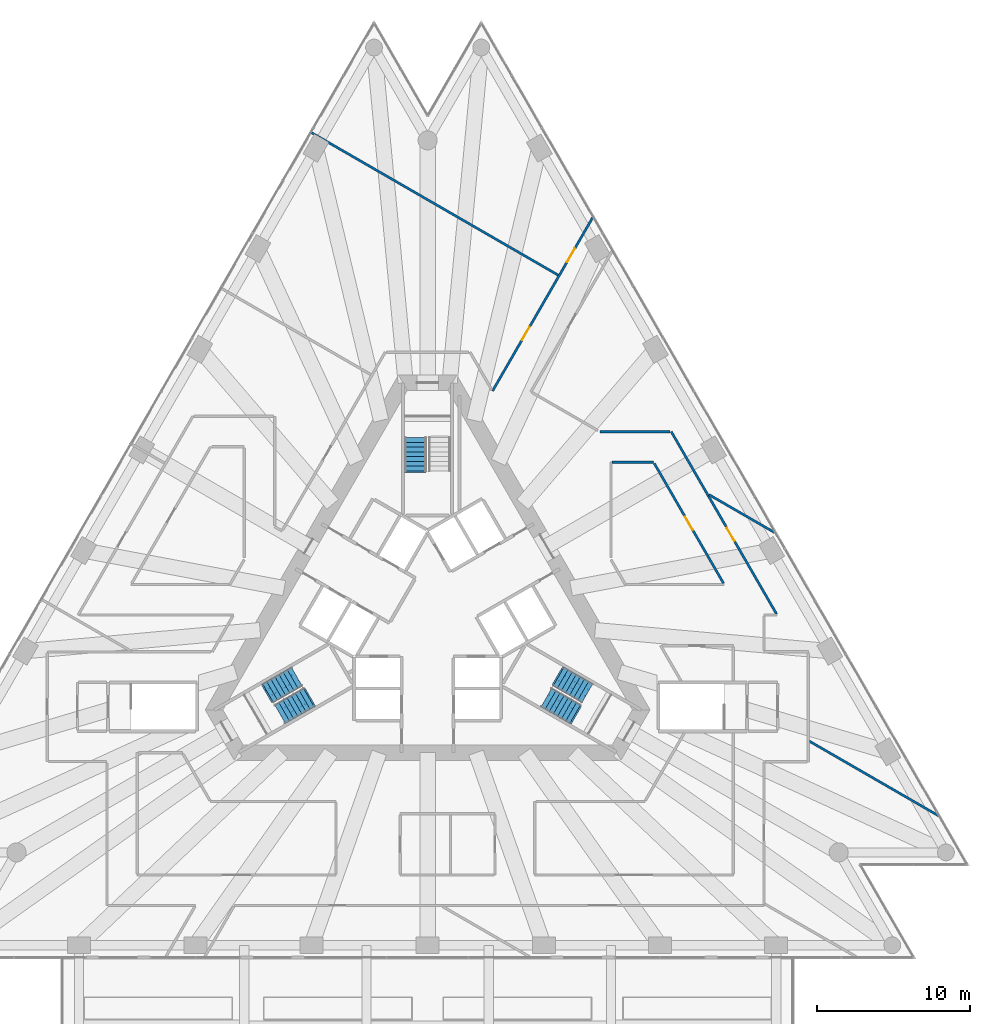
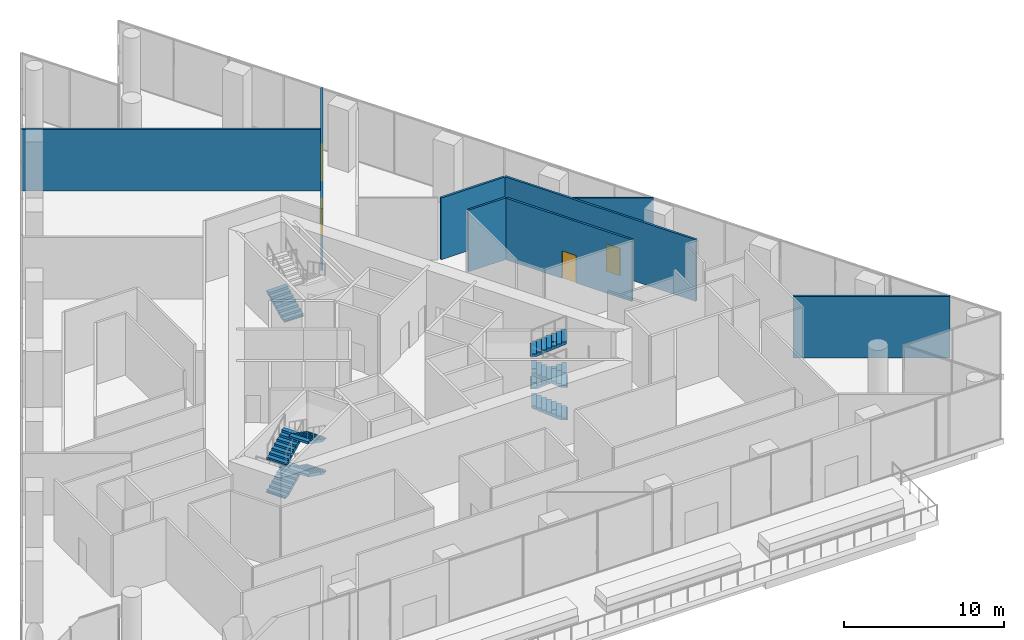
# One storey, part 25 of 28: 9 stair flights, 8 walls, 4 doors, 4 openings, 3 elements without a shape of their own.
"""IFC4 building model written with IfcOpenShell, lengths in metres."""

from ifc_helpers import new_model, si_unit, direction, frame, frame_2d, origin, place, context, subcontext, project, spatial, polyline, rectangle, outline, extrude, material, layer, layer_set, type_object, element, fill, aggregate, save


model = new_model("IFC4")

# Units and contexts
model_context = context("Model", 3, precision=1e-05, world=origin(), true_north=direction((0.0, 1.0)))
body_context = subcontext(model_context, "Body", "Model", "MODEL_VIEW")
ifc_project = project(units=[si_unit("LENGTHUNIT", "METRE"), si_unit("AREAUNIT", "SQUARE_METRE"), si_unit("VOLUMEUNIT", "CUBIC_METRE"), si_unit("PLANEANGLEUNIT", "RADIAN"), si_unit("MASSUNIT", "GRAM", prefix="KILO")], contexts=[model_context])

# Site, building, storey
site_placement = place(None, origin())
site = spatial("IfcSite", under=ifc_project, at=site_placement, CompositionType="ELEMENT")
building_placement = place(site_placement, origin())
building = spatial("IfcBuilding", under=site, at=building_placement, Name="Triada Interchange Tower", CompositionType="ELEMENT")
storey_placement = place(building_placement, frame((0.0, 0.0, 30.300048828125)))
storey = spatial("IfcBuildingStorey", under=building, at=storey_placement, Name="L05", CompositionType="ELEMENT", Elevation=30.300048828125)

# Wall
ifc_material_1 = material(Name="Gypsum board partition")
ifc_layer_1 = layer(ifc_material_1, 0.14990234375)
ifc_layer_set_1 = layer_set([ifc_layer_1], Name="PARTITION 150")
wall_type_1 = type_object("IfcWallType", Name="PARTITION 150", PredefinedType="PARTITIONING", material=ifc_layer_set_1)
wall_1_placement = place(storey_placement, frame((-7.635009765625, 31.574951171875, 0.0), z_axis=(0.0, 0.0, 1.0), x_axis=(0.866010527476, -0.500025765638, 0.0)))
element("IfcWall", 1, at=wall_1_placement, inside=storey, type_object=wall_type_1, Name="Wall L05 30", PredefinedType="PARTITIONING", context=body_context, shape_type="SweptSolid", body=[
    extrude(rectangle(XDim=18.6728515625, YDim=0.14990234375, at=frame_2d((9.33642578125, 0.0))), origin(), (0.0, 0.0, 1.0), 4.699951171875),
])

# Wall, openings, doors
ifc_layer_2 = layer(ifc_material_1, 0.14990234375)
ifc_layer_set_2 = layer_set([ifc_layer_2], Name="PARTITION 150 EI 90")
wall_type_2 = type_object("IfcWallType", Name="PARTITION 150 EI 90", PredefinedType="PARTITIONING", material=ifc_layer_set_2)
wall_2_placement = place(storey_placement, frame((4.241943359375, 14.652099609375, 0.0), z_axis=(0.0, 0.0, 1.0), x_axis=(0.500016782699, 0.866015714072, 0.0)))
wall_2 = element("IfcWall", 2, at=wall_2_placement, inside=storey, type_object=wall_type_2, Name="Wall L05 24", PredefinedType="PARTITIONING", context=body_context, shape_type="SweptSolid", body=[
    extrude(rectangle(XDim=13.16357421875, YDim=0.14990234375, at=frame_2d((6.581787109375, 0.0))), origin(), (0.0, 0.0, 1.0), 4.699951171875),
])
opening_1_placement = place(wall_2_placement, frame((3.85791015625, 0.0, 0.0)))
opening_1 = element("IfcOpeningElement", 3, at=opening_1_placement, cuts=wall_2, Name="Opening D05-25", PredefinedType="OPENING", context=body_context, shape_type="SweptSolid", body=[
    extrude(rectangle(XDim=1.0, YDim=2.10009765625, at=frame_2d((0.5, 1.050048828125))), frame((0.0, 0.0849609375, 0.0), z_axis=(0.0, -1.0, 0.0), x_axis=(1.0, 0.0, 0.0)), (0.0, 0.0, 1.0), 0.169921875),
])
opening_2_placement = place(wall_2_placement, frame((9.762939453125, 0.0, 0.0)))
opening_2 = element("IfcOpeningElement", 4, at=opening_2_placement, cuts=wall_2, Name="Opening D05-26", PredefinedType="OPENING", context=body_context, shape_type="SweptSolid", body=[
    extrude(rectangle(XDim=1.0, YDim=2.10009765625, at=frame_2d((0.5, 1.050048828125))), frame((0.0, 0.0849609375, 0.0), z_axis=(0.0, -1.0, 0.0), x_axis=(1.0, 0.0, 0.0)), (0.0, 0.0, 1.0), 0.169921875),
])
ifc_material_2 = material(Name="Steel S235 door leaf", Category="steel")
door_type_1 = type_object("IfcDoorType", Name="ROOM DOOR 1000 EI2 45-C5S200", OperationType="NOTDEFINED", PredefinedType="DOOR", material=ifc_material_2)
door_1_placement = place(opening_1_placement, origin())
door_1 = element("IfcDoor", 5, at=door_1_placement, inside=storey, type_object=door_type_1, Name="Door D05-25 L05", OperationType="SINGLE_SWING_RIGHT", OverallHeight=2.10009765625, OverallWidth=1.0, PredefinedType="DOOR", context=body_context, shape_type="SweptSolid", body=[
    extrude(rectangle(XDim=1.0, YDim=2.10009765625, at=frame_2d((0.5, 1.050048828125))), frame((0.0, 0.02490234375, 0.0), z_axis=(0.0, -1.0, 0.0), x_axis=(1.0, 0.0, 0.0)), (0.0, 0.0, 1.0), 0.050048828125),
])
fill(opening_1, door_1)
door_type_2 = type_object("IfcDoorType", Name="ROOM DOOR 1000 EI2 90-C5S200", OperationType="NOTDEFINED", PredefinedType="DOOR", material=ifc_material_2)
door_2_placement = place(opening_2_placement, origin())
door_2 = element("IfcDoor", 6, at=door_2_placement, inside=storey, type_object=door_type_2, Name="Door D05-26 L05", OperationType="SINGLE_SWING_RIGHT", OverallHeight=2.10009765625, OverallWidth=1.0, PredefinedType="DOOR", context=body_context, shape_type="SweptSolid", body=[
    extrude(rectangle(XDim=1.0, YDim=2.10009765625, at=frame_2d((0.5, 1.050048828125))), frame((0.0, 0.02490234375, 0.0), z_axis=(0.0, -1.0, 0.0), x_axis=(1.0, 0.0, 0.0)), (0.0, 0.0, 1.0), 0.050048828125),
])
fill(opening_2, door_2)

# Wall, opening, door
wall_3_placement = place(storey_placement, frame((15.93505859375, 12.0, 0.0), z_axis=(0.0, 0.0, 1.0), x_axis=(0.500004336333, -0.866022900187, 0.0)))
wall_3 = element("IfcWall", 7, at=wall_3_placement, inside=storey, type_object=wall_type_2, Name="Wall L05 43", PredefinedType="PARTITIONING", context=body_context, shape_type="SweptSolid", body=[
    extrude(rectangle(XDim=13.77001953125, YDim=0.14990234375, at=frame_2d((6.885009765625, 0.0))), origin(), (0.0, 0.0, 1.0), 4.699951171875),
])
opening_3_placement = place(wall_3_placement, frame((7.27001953125, 0.0, 0.0)))
opening_3 = element("IfcOpeningElement", 8, at=opening_3_placement, cuts=wall_3, Name="Opening D05-30", PredefinedType="OPENING", context=body_context, shape_type="SweptSolid", body=[
    extrude(rectangle(XDim=1.0, YDim=2.10009765625, at=frame_2d((0.5, 1.050048828125))), frame((0.0, 0.0849609375, 0.0), z_axis=(0.0, -1.0, 0.0), x_axis=(1.0, 0.0, 0.0)), (0.0, 0.0, 1.0), 0.169921875),
])
door_3_placement = place(opening_3_placement, origin())
door_3 = element("IfcDoor", 9, at=door_3_placement, inside=storey, type_object=door_type_1, Name="Door D05-30 L05", OperationType="SINGLE_SWING_RIGHT", OverallHeight=2.10009765625, OverallWidth=1.0, PredefinedType="DOOR", context=body_context, shape_type="SweptSolid", body=[
    extrude(rectangle(XDim=1.0, YDim=2.10009765625, at=frame_2d((0.5, 1.050048828125))), frame((0.0, 0.02490234375, 0.0), z_axis=(0.0, -1.0, 0.0), x_axis=(1.0, 0.0, 0.0)), (0.0, 0.0, 1.0), 0.050048828125),
])
fill(opening_3, door_3)

# Walls
wall_4_placement = place(storey_placement, frame((11.259033203125, 12.0, 0.0), z_axis=(0.0, 0.0, 1.0), x_axis=(1.0, 0.0, 0.0)))
element("IfcWall", 10, at=wall_4_placement, inside=storey, type_object=wall_type_2, Name="Wall L05 44", PredefinedType="PARTITIONING", context=body_context, shape_type="SweptSolid", body=[
    extrude(rectangle(XDim=4.5888671875, YDim=0.14990234375, at=frame_2d((2.29443359375, 0.0))), origin(), (0.0, 0.0, 1.0), 4.699951171875),
])
wall_5_placement = place(storey_placement, frame((18.403076171875, 7.875, 0.0), z_axis=(0.0, 0.0, 1.0), x_axis=(0.866002805745, -0.50003913891, 0.0)))
element("IfcWall", 11, at=wall_5_placement, inside=storey, type_object=wall_type_2, Name="Wall L05 46", PredefinedType="PARTITIONING", context=body_context, shape_type="SweptSolid", body=[
    extrude(rectangle(XDim=5.04931640625, YDim=0.14990234375, at=frame_2d((2.524658203125, 0.0))), origin(), (0.0, 0.0, 1.0), 4.699951171875),
])
wall_6_placement = place(storey_placement, frame((24.97509765625, -8.2529296875, 0.0), z_axis=(0.0, 0.0, 1.0), x_axis=(0.866010428405, -0.500025937221, 0.0)))
element("IfcWall", 12, at=wall_6_placement, inside=storey, type_object=wall_type_2, Name="Wall L05 59", PredefinedType="PARTITIONING", context=body_context, shape_type="SweptSolid", body=[
    extrude(rectangle(XDim=9.79541015625, YDim=0.14990234375, at=frame_2d((4.897705078125, 0.0))), origin(), (0.0, 0.0, 1.0), 4.699951171875),
])
wall_7_placement = place(storey_placement, frame((12.074951171875, 10.0, 0.0), z_axis=(0.0, 0.0, 1.0), x_axis=(1.0, 0.0, 0.0)))
element("IfcWall", 13, at=wall_7_placement, inside=storey, type_object=wall_type_2, Name="Wall L05 71", PredefinedType="PARTITIONING", context=body_context, shape_type="SweptSolid", body=[
    extrude(rectangle(XDim=2.705078125, YDim=0.14990234375, at=frame_2d((1.3525390625, 0.0))), origin(), (0.0, 0.0, 1.0), 4.699951171875),
])

# Wall, opening, door
wall_8_placement = place(storey_placement, frame((14.822998046875, 9.925048828125, 0.0), z_axis=(0.0, 0.0, 1.0), x_axis=(0.500058162134, -0.865991821256, 0.0)))
wall_8 = element("IfcWall", 14, at=wall_8_placement, inside=storey, type_object=wall_type_2, Name="Wall L05 72", PredefinedType="PARTITIONING", context=body_context, shape_type="SweptSolid", body=[
    extrude(rectangle(XDim=9.06494140625, YDim=0.14990234375, at=frame_2d((4.532470703125, 0.0))), origin(), (0.0, 0.0, 1.0), 4.699951171875),
])
opening_4_placement = place(wall_8_placement, frame((4.031982421875, 0.0, 0.0)))
opening_4 = element("IfcOpeningElement", 15, at=opening_4_placement, cuts=wall_8, Name="Opening D05-21", PredefinedType="OPENING", context=body_context, shape_type="SweptSolid", body=[
    extrude(rectangle(XDim=1.0, YDim=2.10009765625, at=frame_2d((0.5, 1.050048828125))), frame((0.0, 0.0849609375, 0.0), z_axis=(0.0, -1.0, 0.0), x_axis=(1.0, 0.0, 0.0)), (0.0, 0.0, 1.0), 0.169921875),
])
door_4_placement = place(opening_4_placement, origin())
door_4 = element("IfcDoor", 16, at=door_4_placement, inside=storey, type_object=door_type_2, Name="Door D05-21 L05", OperationType="SINGLE_SWING_RIGHT", OverallHeight=2.10009765625, OverallWidth=1.0, PredefinedType="DOOR", context=body_context, shape_type="SweptSolid", body=[
    extrude(rectangle(XDim=1.0, YDim=2.10009765625, at=frame_2d((0.5, 1.050048828125))), frame((0.0, 0.02490234375, 0.0), z_axis=(0.0, -1.0, 0.0), x_axis=(1.0, 0.0, 0.0)), (0.0, 0.0, 1.0), 0.050048828125),
])
fill(opening_4, door_4)

# Stair, stair flight
ifc_material_3 = material(Name="Concrete C35/45", Category="concrete")
stair_type = type_object("IfcStairType", Name="HALF TURN STAIR 1400", PredefinedType="HALF_TURN_STAIR", material=ifc_material_3)
stair_1_placement = place(storey_placement, origin())
stair_1 = element("IfcStair", 17, at=stair_1_placement, inside=storey, type_object=stair_type, Name="Exit stair S05-1", PredefinedType="HALF_TURN_STAIR")
stair_flight_type = type_object("IfcStairFlightType", Name="STRAIGHT STAIR FLIGHT 1400", PredefinedType="STRAIGHT", material=ifc_material_3)
stair_flight_1_placement = place(storey_placement, frame((-0.800048828125, 9.429931640625, 1.25), z_axis=(0.0, 0.0, 1.0), x_axis=(0.0, 1.0, 0.0)))
stair_flight_1 = element("IfcStairFlight", 18, at=stair_flight_1_placement, type_object=stair_flight_type, Name="S05-1 flight 2", NumberOfRisers=8, NumberOfTreads=7, PredefinedType="STRAIGHT", RiserHeight=0.15625, TreadLength=0.31, context=body_context, shape_type="SweptSolid", body=[
    extrude(outline(polyline([(-0.10009765625, 0.0), (-0.10009765625, 0.02001953125), (0.0, 0.02001953125), (0.0, 0.15625), (0.31005859375, 0.15625), (0.31005859375, 0.3125), (0.6201171875, 0.3125), (0.6201171875, 0.46875), (0.929931640625, 0.46875), (0.929931640625, 0.625), (1.239990234375, 0.625), (1.239990234375, 0.78125), (1.550048828125, 0.78125), (1.550048828125, 0.9375), (1.860107421875, 0.9375), (1.860107421875, 1.09375), (2.169921875, 1.09375), (2.174072265625, 1.09375), (2.174072265625, 1.25), (2.174072265625, 0.92578125), (0.3330078125, 0.0), (-0.10009765625, 0.0)])), frame((0.0, 0.699951171875, 0.0), z_axis=(0.0, -1.0, 0.0), x_axis=(1.0, 0.0, 0.0)), (0.0, 0.0, 1.0), 0.46533203125),
    extrude(outline(polyline([(-0.10009765625, 0.0), (-0.10009765625, 0.02001953125), (0.0, 0.02001953125), (0.0, 0.15625), (0.31005859375, 0.15625), (0.31005859375, 0.3125), (0.6201171875, 0.3125), (0.6201171875, 0.46875), (0.929931640625, 0.46875), (0.929931640625, 0.625), (1.239990234375, 0.625), (1.239990234375, 0.78125), (1.550048828125, 0.78125), (1.550048828125, 0.9375), (1.860107421875, 0.9375), (1.860107421875, 1.09375), (2.169921875, 1.09375), (2.174072265625, 1.09375), (2.174072265625, 1.25), (2.174072265625, 0.92578125), (0.3330078125, 0.0), (-0.10009765625, 0.0)])), frame((0.0, 0.232666015625, 0.0), z_axis=(0.0, -1.0, 0.0), x_axis=(1.0, 0.0, 0.0)), (0.0, 0.0, 1.0), 0.46533203125),
    extrude(outline(polyline([(-0.10009765625, 0.0), (-0.10009765625, 0.02001953125), (0.0, 0.02001953125), (0.0, 0.15625), (0.31005859375, 0.15625), (0.31005859375, 0.3125), (0.6201171875, 0.3125), (0.6201171875, 0.46875), (0.929931640625, 0.46875), (0.929931640625, 0.625), (1.239990234375, 0.625), (1.239990234375, 0.78125), (1.550048828125, 0.78125), (1.550048828125, 0.9375), (1.860107421875, 0.9375), (1.860107421875, 1.09375), (2.169921875, 1.09375), (2.174072265625, 1.09375), (2.174072265625, 1.25), (2.174072265625, 0.92578125), (0.3330078125, 0.0), (-0.10009765625, 0.0)])), frame((0.0, -0.234619140625, 0.0), z_axis=(0.0, -1.0, 0.0), x_axis=(1.0, 0.0, 0.0)), (0.0, 0.0, 1.0), 0.46533203125),
])
aggregate(stair_1, [stair_flight_1])

# Stair, stair flights
stair_2_placement = place(storey_placement, origin())
stair_2 = element("IfcStair", 19, at=stair_2_placement, inside=storey, type_object=stair_type, Name="Exit stair S05-2", PredefinedType="HALF_TURN_STAIR")
stair_flight_2_placement = place(storey_placement, frame((-10.446044921875, -5.10693359375, 0.0), z_axis=(0.0, 0.0, 1.0), x_axis=(0.866025403784, 0.5, 0.0)))
stair_flight_2 = element("IfcStairFlight", 20, at=stair_flight_2_placement, type_object=stair_flight_type, Name="S05-2 flight 1", NumberOfRisers=8, NumberOfTreads=7, PredefinedType="STRAIGHT", RiserHeight=0.15625, TreadLength=0.31, context=body_context, shape_type="SweptSolid", body=[
    extrude(outline(polyline([(-0.10009765625, 0.0), (-0.10009765625, 0.02001953125), (0.0, 0.02001953125), (0.0, 0.15625), (0.31005859375, 0.15625), (0.31005859375, 0.3125), (0.6201171875, 0.3125), (0.6201171875, 0.46875), (0.929931640625, 0.46875), (0.929931640625, 0.625), (1.239990234375, 0.625), (1.239990234375, 0.78125), (1.550048828125, 0.78125), (1.550048828125, 0.9375), (1.860107421875, 0.9375), (1.860107421875, 1.09375), (2.169921875, 1.09375), (2.174072265625, 1.09375), (2.174072265625, 1.25), (2.174072265625, 0.92578125), (0.3330078125, 0.0), (-0.10009765625, 0.0)])), frame((0.0, 0.699951171875, 0.0), z_axis=(0.0, -1.0, 0.0), x_axis=(1.0, 0.0, 0.0)), (0.0, 0.0, 1.0), 0.46533203125),
    extrude(outline(polyline([(-0.10009765625, 0.0), (-0.10009765625, 0.02001953125), (0.0, 0.02001953125), (0.0, 0.15625), (0.31005859375, 0.15625), (0.31005859375, 0.3125), (0.6201171875, 0.3125), (0.6201171875, 0.46875), (0.929931640625, 0.46875), (0.929931640625, 0.625), (1.239990234375, 0.625), (1.239990234375, 0.78125), (1.550048828125, 0.78125), (1.550048828125, 0.9375), (1.860107421875, 0.9375), (1.860107421875, 1.09375), (2.169921875, 1.09375), (2.174072265625, 1.09375), (2.174072265625, 1.25), (2.174072265625, 0.92578125), (0.3330078125, 0.0), (-0.10009765625, 0.0)])), frame((0.0, 0.232666015625, 0.0), z_axis=(0.0, -1.0, 0.0), x_axis=(1.0, 0.0, 0.0)), (0.0, 0.0, 1.0), 0.46533203125),
    extrude(outline(polyline([(-0.10009765625, 0.0), (-0.10009765625, 0.02001953125), (0.0, 0.02001953125), (0.0, 0.15625), (0.31005859375, 0.15625), (0.31005859375, 0.3125), (0.6201171875, 0.3125), (0.6201171875, 0.46875), (0.929931640625, 0.46875), (0.929931640625, 0.625), (1.239990234375, 0.625), (1.239990234375, 0.78125), (1.550048828125, 0.78125), (1.550048828125, 0.9375), (1.860107421875, 0.9375), (1.860107421875, 1.09375), (2.169921875, 1.09375), (2.174072265625, 1.09375), (2.174072265625, 1.25), (2.174072265625, 0.92578125), (0.3330078125, 0.0), (-0.10009765625, 0.0)])), frame((0.0, -0.234619140625, 0.0), z_axis=(0.0, -1.0, 0.0), x_axis=(1.0, 0.0, 0.0)), (0.0, 0.0, 1.0), 0.46533203125),
])
stair_flight_3_placement = place(storey_placement, frame((-7.76708984375, -5.407958984375, 1.25), z_axis=(0.0, 0.0, 1.0), x_axis=(-0.866025403784, -0.5, 0.0)))
stair_flight_3 = element("IfcStairFlight", 21, at=stair_flight_3_placement, type_object=stair_flight_type, Name="S05-2 flight 2", NumberOfRisers=8, NumberOfTreads=7, PredefinedType="STRAIGHT", RiserHeight=0.15625, TreadLength=0.31, context=body_context, shape_type="SweptSolid", body=[
    extrude(outline(polyline([(-0.10009765625, 0.0), (-0.10009765625, 0.02001953125), (0.0, 0.02001953125), (0.0, 0.15625), (0.31005859375, 0.15625), (0.31005859375, 0.3125), (0.6201171875, 0.3125), (0.6201171875, 0.46875), (0.929931640625, 0.46875), (0.929931640625, 0.625), (1.239990234375, 0.625), (1.239990234375, 0.78125), (1.550048828125, 0.78125), (1.550048828125, 0.9375), (1.860107421875, 0.9375), (1.860107421875, 1.09375), (2.169921875, 1.09375), (2.174072265625, 1.09375), (2.174072265625, 1.25), (2.174072265625, 0.92578125), (0.3330078125, 0.0), (-0.10009765625, 0.0)])), frame((0.0, 0.699951171875, 0.0), z_axis=(0.0, -1.0, 0.0), x_axis=(1.0, 0.0, 0.0)), (0.0, 0.0, 1.0), 0.46533203125),
    extrude(outline(polyline([(-0.10009765625, 0.0), (-0.10009765625, 0.02001953125), (0.0, 0.02001953125), (0.0, 0.15625), (0.31005859375, 0.15625), (0.31005859375, 0.3125), (0.6201171875, 0.3125), (0.6201171875, 0.46875), (0.929931640625, 0.46875), (0.929931640625, 0.625), (1.239990234375, 0.625), (1.239990234375, 0.78125), (1.550048828125, 0.78125), (1.550048828125, 0.9375), (1.860107421875, 0.9375), (1.860107421875, 1.09375), (2.169921875, 1.09375), (2.174072265625, 1.09375), (2.174072265625, 1.25), (2.174072265625, 0.92578125), (0.3330078125, 0.0), (-0.10009765625, 0.0)])), frame((0.0, 0.232666015625, 0.0), z_axis=(0.0, -1.0, 0.0), x_axis=(1.0, 0.0, 0.0)), (0.0, 0.0, 1.0), 0.46533203125),
    extrude(outline(polyline([(-0.10009765625, 0.0), (-0.10009765625, 0.02001953125), (0.0, 0.02001953125), (0.0, 0.15625), (0.31005859375, 0.15625), (0.31005859375, 0.3125), (0.6201171875, 0.3125), (0.6201171875, 0.46875), (0.929931640625, 0.46875), (0.929931640625, 0.625), (1.239990234375, 0.625), (1.239990234375, 0.78125), (1.550048828125, 0.78125), (1.550048828125, 0.9375), (1.860107421875, 0.9375), (1.860107421875, 1.09375), (2.169921875, 1.09375), (2.174072265625, 1.09375), (2.174072265625, 1.25), (2.174072265625, 0.92578125), (0.3330078125, 0.0), (-0.10009765625, 0.0)])), frame((0.0, -0.234619140625, 0.0), z_axis=(0.0, -1.0, 0.0), x_axis=(1.0, 0.0, 0.0)), (0.0, 0.0, 1.0), 0.46533203125),
])
stair_flight_4_placement = place(storey_placement, frame((-10.446044921875, -5.10693359375, 2.5), z_axis=(0.0, 0.0, 1.0), x_axis=(0.866025403784, 0.5, 0.0)))
stair_flight_4 = element("IfcStairFlight", 22, at=stair_flight_4_placement, type_object=stair_flight_type, Name="S05-2 flight 3", NumberOfRisers=8, NumberOfTreads=7, PredefinedType="STRAIGHT", RiserHeight=0.15625, TreadLength=0.31, context=body_context, shape_type="SweptSolid", body=[
    extrude(outline(polyline([(-0.10009765625, 0.0), (-0.10009765625, 0.02001953125), (0.0, 0.02001953125), (0.0, 0.15625), (0.31005859375, 0.15625), (0.31005859375, 0.3125), (0.6201171875, 0.3125), (0.6201171875, 0.46875), (0.929931640625, 0.46875), (0.929931640625, 0.625), (1.239990234375, 0.625), (1.239990234375, 0.78125), (1.550048828125, 0.78125), (1.550048828125, 0.9375), (1.860107421875, 0.9375), (1.860107421875, 1.09375), (2.169921875, 1.09375), (2.174072265625, 1.09375), (2.174072265625, 1.25), (2.174072265625, 0.92578125), (0.3330078125, 0.0), (-0.10009765625, 0.0)])), frame((0.0, 0.699951171875, 0.0), z_axis=(0.0, -1.0, 0.0), x_axis=(1.0, 0.0, 0.0)), (0.0, 0.0, 1.0), 0.46533203125),
    extrude(outline(polyline([(-0.10009765625, 0.0), (-0.10009765625, 0.02001953125), (0.0, 0.02001953125), (0.0, 0.15625), (0.31005859375, 0.15625), (0.31005859375, 0.3125), (0.6201171875, 0.3125), (0.6201171875, 0.46875), (0.929931640625, 0.46875), (0.929931640625, 0.625), (1.239990234375, 0.625), (1.239990234375, 0.78125), (1.550048828125, 0.78125), (1.550048828125, 0.9375), (1.860107421875, 0.9375), (1.860107421875, 1.09375), (2.169921875, 1.09375), (2.174072265625, 1.09375), (2.174072265625, 1.25), (2.174072265625, 0.92578125), (0.3330078125, 0.0), (-0.10009765625, 0.0)])), frame((0.0, 0.232666015625, 0.0), z_axis=(0.0, -1.0, 0.0), x_axis=(1.0, 0.0, 0.0)), (0.0, 0.0, 1.0), 0.46533203125),
    extrude(outline(polyline([(-0.10009765625, 0.0), (-0.10009765625, 0.02001953125), (0.0, 0.02001953125), (0.0, 0.15625), (0.31005859375, 0.15625), (0.31005859375, 0.3125), (0.6201171875, 0.3125), (0.6201171875, 0.46875), (0.929931640625, 0.46875), (0.929931640625, 0.625), (1.239990234375, 0.625), (1.239990234375, 0.78125), (1.550048828125, 0.78125), (1.550048828125, 0.9375), (1.860107421875, 0.9375), (1.860107421875, 1.09375), (2.169921875, 1.09375), (2.174072265625, 1.09375), (2.174072265625, 1.25), (2.174072265625, 0.92578125), (0.3330078125, 0.0), (-0.10009765625, 0.0)])), frame((0.0, -0.234619140625, 0.0), z_axis=(0.0, -1.0, 0.0), x_axis=(1.0, 0.0, 0.0)), (0.0, 0.0, 1.0), 0.46533203125),
])
stair_flight_5_placement = place(storey_placement, frame((-7.76708984375, -5.407958984375, 3.75), z_axis=(0.0, 0.0, 1.0), x_axis=(-0.866025403784, -0.5, 0.0)))
stair_flight_5 = element("IfcStairFlight", 23, at=stair_flight_5_placement, type_object=stair_flight_type, Name="S05-2 flight 4", NumberOfRisers=8, NumberOfTreads=7, PredefinedType="STRAIGHT", RiserHeight=0.15625, TreadLength=0.31, context=body_context, shape_type="SweptSolid", body=[
    extrude(outline(polyline([(-0.10009765625, 0.0), (-0.10009765625, 0.02001953125), (0.0, 0.02001953125), (0.0, 0.15625), (0.31005859375, 0.15625), (0.31005859375, 0.3125), (0.6201171875, 0.3125), (0.6201171875, 0.46875), (0.929931640625, 0.46875), (0.929931640625, 0.625), (1.239990234375, 0.625), (1.239990234375, 0.78125), (1.550048828125, 0.78125), (1.550048828125, 0.9375), (1.860107421875, 0.9375), (1.860107421875, 1.09375), (2.169921875, 1.09375), (2.174072265625, 1.09375), (2.174072265625, 1.25), (2.174072265625, 0.92578125), (0.3330078125, 0.0), (-0.10009765625, 0.0)])), frame((0.0, 0.699951171875, 0.0), z_axis=(0.0, -1.0, 0.0), x_axis=(1.0, 0.0, 0.0)), (0.0, 0.0, 1.0), 0.46533203125),
    extrude(outline(polyline([(-0.10009765625, 0.0), (-0.10009765625, 0.02001953125), (0.0, 0.02001953125), (0.0, 0.15625), (0.31005859375, 0.15625), (0.31005859375, 0.3125), (0.6201171875, 0.3125), (0.6201171875, 0.46875), (0.929931640625, 0.46875), (0.929931640625, 0.625), (1.239990234375, 0.625), (1.239990234375, 0.78125), (1.550048828125, 0.78125), (1.550048828125, 0.9375), (1.860107421875, 0.9375), (1.860107421875, 1.09375), (2.169921875, 1.09375), (2.174072265625, 1.09375), (2.174072265625, 1.25), (2.174072265625, 0.92578125), (0.3330078125, 0.0), (-0.10009765625, 0.0)])), frame((0.0, 0.232666015625, 0.0), z_axis=(0.0, -1.0, 0.0), x_axis=(1.0, 0.0, 0.0)), (0.0, 0.0, 1.0), 0.46533203125),
    extrude(outline(polyline([(-0.10009765625, 0.0), (-0.10009765625, 0.02001953125), (0.0, 0.02001953125), (0.0, 0.15625), (0.31005859375, 0.15625), (0.31005859375, 0.3125), (0.6201171875, 0.3125), (0.6201171875, 0.46875), (0.929931640625, 0.46875), (0.929931640625, 0.625), (1.239990234375, 0.625), (1.239990234375, 0.78125), (1.550048828125, 0.78125), (1.550048828125, 0.9375), (1.860107421875, 0.9375), (1.860107421875, 1.09375), (2.169921875, 1.09375), (2.174072265625, 1.09375), (2.174072265625, 1.25), (2.174072265625, 0.92578125), (0.3330078125, 0.0), (-0.10009765625, 0.0)])), frame((0.0, -0.234619140625, 0.0), z_axis=(0.0, -1.0, 0.0), x_axis=(1.0, 0.0, 0.0)), (0.0, 0.0, 1.0), 0.46533203125),
])
aggregate(stair_2, [stair_flight_2, stair_flight_3, stair_flight_4, stair_flight_5])

stair_3_placement = place(storey_placement, origin())
stair_3 = element("IfcStair", 24, at=stair_3_placement, inside=storey, type_object=stair_type, Name="Exit stair S05-3", PredefinedType="HALF_TURN_STAIR")
stair_flight_6_placement = place(storey_placement, frame((9.64599609375, -6.492919921875, 0.0), z_axis=(0.0, 0.0, 1.0), x_axis=(-0.866025403784, 0.5, 0.0)))
stair_flight_6 = element("IfcStairFlight", 25, at=stair_flight_6_placement, type_object=stair_flight_type, Name="S05-3 flight 1", NumberOfRisers=8, NumberOfTreads=7, PredefinedType="STRAIGHT", RiserHeight=0.15625, TreadLength=0.31, context=body_context, shape_type="SweptSolid", body=[
    extrude(outline(polyline([(-0.10009765625, 0.0), (-0.10009765625, 0.02001953125), (0.0, 0.02001953125), (0.0, 0.15625), (0.31005859375, 0.15625), (0.31005859375, 0.3125), (0.6201171875, 0.3125), (0.6201171875, 0.46875), (0.929931640625, 0.46875), (0.929931640625, 0.625), (1.239990234375, 0.625), (1.239990234375, 0.78125), (1.550048828125, 0.78125), (1.550048828125, 0.9375), (1.860107421875, 0.9375), (1.860107421875, 1.09375), (2.169921875, 1.09375), (2.174072265625, 1.09375), (2.174072265625, 1.25), (2.174072265625, 0.92578125), (0.3330078125, 0.0), (-0.10009765625, 0.0)])), frame((0.0, 0.699951171875, 0.0), z_axis=(0.0, -1.0, 0.0), x_axis=(1.0, 0.0, 0.0)), (0.0, 0.0, 1.0), 0.46533203125),
    extrude(outline(polyline([(-0.10009765625, 0.0), (-0.10009765625, 0.02001953125), (0.0, 0.02001953125), (0.0, 0.15625), (0.31005859375, 0.15625), (0.31005859375, 0.3125), (0.6201171875, 0.3125), (0.6201171875, 0.46875), (0.929931640625, 0.46875), (0.929931640625, 0.625), (1.239990234375, 0.625), (1.239990234375, 0.78125), (1.550048828125, 0.78125), (1.550048828125, 0.9375), (1.860107421875, 0.9375), (1.860107421875, 1.09375), (2.169921875, 1.09375), (2.174072265625, 1.09375), (2.174072265625, 1.25), (2.174072265625, 0.92578125), (0.3330078125, 0.0), (-0.10009765625, 0.0)])), frame((0.0, 0.232666015625, 0.0), z_axis=(0.0, -1.0, 0.0), x_axis=(1.0, 0.0, 0.0)), (0.0, 0.0, 1.0), 0.46533203125),
    extrude(outline(polyline([(-0.10009765625, 0.0), (-0.10009765625, 0.02001953125), (0.0, 0.02001953125), (0.0, 0.15625), (0.31005859375, 0.15625), (0.31005859375, 0.3125), (0.6201171875, 0.3125), (0.6201171875, 0.46875), (0.929931640625, 0.46875), (0.929931640625, 0.625), (1.239990234375, 0.625), (1.239990234375, 0.78125), (1.550048828125, 0.78125), (1.550048828125, 0.9375), (1.860107421875, 0.9375), (1.860107421875, 1.09375), (2.169921875, 1.09375), (2.174072265625, 1.09375), (2.174072265625, 1.25), (2.174072265625, 0.92578125), (0.3330078125, 0.0), (-0.10009765625, 0.0)])), frame((0.0, -0.234619140625, 0.0), z_axis=(0.0, -1.0, 0.0), x_axis=(1.0, 0.0, 0.0)), (0.0, 0.0, 1.0), 0.46533203125),
])
stair_flight_7_placement = place(storey_placement, frame((8.56689453125, -4.02197265625, 1.25), z_axis=(0.0, 0.0, 1.0), x_axis=(0.866025403784, -0.5, 0.0)))
stair_flight_7 = element("IfcStairFlight", 26, at=stair_flight_7_placement, type_object=stair_flight_type, Name="S05-3 flight 2", NumberOfRisers=8, NumberOfTreads=7, PredefinedType="STRAIGHT", RiserHeight=0.15625, TreadLength=0.31, context=body_context, shape_type="SweptSolid", body=[
    extrude(outline(polyline([(-0.10009765625, 0.0), (-0.10009765625, 0.02001953125), (0.0, 0.02001953125), (0.0, 0.15625), (0.31005859375, 0.15625), (0.31005859375, 0.3125), (0.6201171875, 0.3125), (0.6201171875, 0.46875), (0.929931640625, 0.46875), (0.929931640625, 0.625), (1.239990234375, 0.625), (1.239990234375, 0.78125), (1.550048828125, 0.78125), (1.550048828125, 0.9375), (1.860107421875, 0.9375), (1.860107421875, 1.09375), (2.169921875, 1.09375), (2.174072265625, 1.09375), (2.174072265625, 1.25), (2.174072265625, 0.92578125), (0.3330078125, 0.0), (-0.10009765625, 0.0)])), frame((0.0, 0.699951171875, 0.0), z_axis=(0.0, -1.0, 0.0), x_axis=(1.0, 0.0, 0.0)), (0.0, 0.0, 1.0), 0.46533203125),
    extrude(outline(polyline([(-0.10009765625, 0.0), (-0.10009765625, 0.02001953125), (0.0, 0.02001953125), (0.0, 0.15625), (0.31005859375, 0.15625), (0.31005859375, 0.3125), (0.6201171875, 0.3125), (0.6201171875, 0.46875), (0.929931640625, 0.46875), (0.929931640625, 0.625), (1.239990234375, 0.625), (1.239990234375, 0.78125), (1.550048828125, 0.78125), (1.550048828125, 0.9375), (1.860107421875, 0.9375), (1.860107421875, 1.09375), (2.169921875, 1.09375), (2.174072265625, 1.09375), (2.174072265625, 1.25), (2.174072265625, 0.92578125), (0.3330078125, 0.0), (-0.10009765625, 0.0)])), frame((0.0, 0.232666015625, 0.0), z_axis=(0.0, -1.0, 0.0), x_axis=(1.0, 0.0, 0.0)), (0.0, 0.0, 1.0), 0.46533203125),
    extrude(outline(polyline([(-0.10009765625, 0.0), (-0.10009765625, 0.02001953125), (0.0, 0.02001953125), (0.0, 0.15625), (0.31005859375, 0.15625), (0.31005859375, 0.3125), (0.6201171875, 0.3125), (0.6201171875, 0.46875), (0.929931640625, 0.46875), (0.929931640625, 0.625), (1.239990234375, 0.625), (1.239990234375, 0.78125), (1.550048828125, 0.78125), (1.550048828125, 0.9375), (1.860107421875, 0.9375), (1.860107421875, 1.09375), (2.169921875, 1.09375), (2.174072265625, 1.09375), (2.174072265625, 1.25), (2.174072265625, 0.92578125), (0.3330078125, 0.0), (-0.10009765625, 0.0)])), frame((0.0, -0.234619140625, 0.0), z_axis=(0.0, -1.0, 0.0), x_axis=(1.0, 0.0, 0.0)), (0.0, 0.0, 1.0), 0.46533203125),
])
stair_flight_8_placement = place(storey_placement, frame((9.64599609375, -6.492919921875, 2.5), z_axis=(0.0, 0.0, 1.0), x_axis=(-0.866025403784, 0.5, 0.0)))
stair_flight_8 = element("IfcStairFlight", 27, at=stair_flight_8_placement, type_object=stair_flight_type, Name="S05-3 flight 3", NumberOfRisers=8, NumberOfTreads=7, PredefinedType="STRAIGHT", RiserHeight=0.15625, TreadLength=0.31, context=body_context, shape_type="SweptSolid", body=[
    extrude(outline(polyline([(-0.10009765625, 0.0), (-0.10009765625, 0.02001953125), (0.0, 0.02001953125), (0.0, 0.15625), (0.31005859375, 0.15625), (0.31005859375, 0.3125), (0.6201171875, 0.3125), (0.6201171875, 0.46875), (0.929931640625, 0.46875), (0.929931640625, 0.625), (1.239990234375, 0.625), (1.239990234375, 0.78125), (1.550048828125, 0.78125), (1.550048828125, 0.9375), (1.860107421875, 0.9375), (1.860107421875, 1.09375), (2.169921875, 1.09375), (2.174072265625, 1.09375), (2.174072265625, 1.25), (2.174072265625, 0.92578125), (0.3330078125, 0.0), (-0.10009765625, 0.0)])), frame((0.0, 0.699951171875, 0.0), z_axis=(0.0, -1.0, 0.0), x_axis=(1.0, 0.0, 0.0)), (0.0, 0.0, 1.0), 0.46533203125),
    extrude(outline(polyline([(-0.10009765625, 0.0), (-0.10009765625, 0.02001953125), (0.0, 0.02001953125), (0.0, 0.15625), (0.31005859375, 0.15625), (0.31005859375, 0.3125), (0.6201171875, 0.3125), (0.6201171875, 0.46875), (0.929931640625, 0.46875), (0.929931640625, 0.625), (1.239990234375, 0.625), (1.239990234375, 0.78125), (1.550048828125, 0.78125), (1.550048828125, 0.9375), (1.860107421875, 0.9375), (1.860107421875, 1.09375), (2.169921875, 1.09375), (2.174072265625, 1.09375), (2.174072265625, 1.25), (2.174072265625, 0.92578125), (0.3330078125, 0.0), (-0.10009765625, 0.0)])), frame((0.0, 0.232666015625, 0.0), z_axis=(0.0, -1.0, 0.0), x_axis=(1.0, 0.0, 0.0)), (0.0, 0.0, 1.0), 0.46533203125),
    extrude(outline(polyline([(-0.10009765625, 0.0), (-0.10009765625, 0.02001953125), (0.0, 0.02001953125), (0.0, 0.15625), (0.31005859375, 0.15625), (0.31005859375, 0.3125), (0.6201171875, 0.3125), (0.6201171875, 0.46875), (0.929931640625, 0.46875), (0.929931640625, 0.625), (1.239990234375, 0.625), (1.239990234375, 0.78125), (1.550048828125, 0.78125), (1.550048828125, 0.9375), (1.860107421875, 0.9375), (1.860107421875, 1.09375), (2.169921875, 1.09375), (2.174072265625, 1.09375), (2.174072265625, 1.25), (2.174072265625, 0.92578125), (0.3330078125, 0.0), (-0.10009765625, 0.0)])), frame((0.0, -0.234619140625, 0.0), z_axis=(0.0, -1.0, 0.0), x_axis=(1.0, 0.0, 0.0)), (0.0, 0.0, 1.0), 0.46533203125),
])
stair_flight_9_placement = place(storey_placement, frame((8.56689453125, -4.02197265625, 3.75), z_axis=(0.0, 0.0, 1.0), x_axis=(0.866025403784, -0.5, 0.0)))
stair_flight_9 = element("IfcStairFlight", 28, at=stair_flight_9_placement, type_object=stair_flight_type, Name="S05-3 flight 4", NumberOfRisers=8, NumberOfTreads=7, PredefinedType="STRAIGHT", RiserHeight=0.15625, TreadLength=0.31, context=body_context, shape_type="SweptSolid", body=[
    extrude(outline(polyline([(-0.10009765625, 0.0), (-0.10009765625, 0.02001953125), (0.0, 0.02001953125), (0.0, 0.15625), (0.31005859375, 0.15625), (0.31005859375, 0.3125), (0.6201171875, 0.3125), (0.6201171875, 0.46875), (0.929931640625, 0.46875), (0.929931640625, 0.625), (1.239990234375, 0.625), (1.239990234375, 0.78125), (1.550048828125, 0.78125), (1.550048828125, 0.9375), (1.860107421875, 0.9375), (1.860107421875, 1.09375), (2.169921875, 1.09375), (2.174072265625, 1.09375), (2.174072265625, 1.25), (2.174072265625, 0.92578125), (0.3330078125, 0.0), (-0.10009765625, 0.0)])), frame((0.0, 0.699951171875, 0.0), z_axis=(0.0, -1.0, 0.0), x_axis=(1.0, 0.0, 0.0)), (0.0, 0.0, 1.0), 0.46533203125),
    extrude(outline(polyline([(-0.10009765625, 0.0), (-0.10009765625, 0.02001953125), (0.0, 0.02001953125), (0.0, 0.15625), (0.31005859375, 0.15625), (0.31005859375, 0.3125), (0.6201171875, 0.3125), (0.6201171875, 0.46875), (0.929931640625, 0.46875), (0.929931640625, 0.625), (1.239990234375, 0.625), (1.239990234375, 0.78125), (1.550048828125, 0.78125), (1.550048828125, 0.9375), (1.860107421875, 0.9375), (1.860107421875, 1.09375), (2.169921875, 1.09375), (2.174072265625, 1.09375), (2.174072265625, 1.25), (2.174072265625, 0.92578125), (0.3330078125, 0.0), (-0.10009765625, 0.0)])), frame((0.0, 0.232666015625, 0.0), z_axis=(0.0, -1.0, 0.0), x_axis=(1.0, 0.0, 0.0)), (0.0, 0.0, 1.0), 0.46533203125),
    extrude(outline(polyline([(-0.10009765625, 0.0), (-0.10009765625, 0.02001953125), (0.0, 0.02001953125), (0.0, 0.15625), (0.31005859375, 0.15625), (0.31005859375, 0.3125), (0.6201171875, 0.3125), (0.6201171875, 0.46875), (0.929931640625, 0.46875), (0.929931640625, 0.625), (1.239990234375, 0.625), (1.239990234375, 0.78125), (1.550048828125, 0.78125), (1.550048828125, 0.9375), (1.860107421875, 0.9375), (1.860107421875, 1.09375), (2.169921875, 1.09375), (2.174072265625, 1.09375), (2.174072265625, 1.25), (2.174072265625, 0.92578125), (0.3330078125, 0.0), (-0.10009765625, 0.0)])), frame((0.0, -0.234619140625, 0.0), z_axis=(0.0, -1.0, 0.0), x_axis=(1.0, 0.0, 0.0)), (0.0, 0.0, 1.0), 0.46533203125),
])
aggregate(stair_3, [stair_flight_6, stair_flight_7, stair_flight_8, stair_flight_9])

save(model, "model.ifc")
